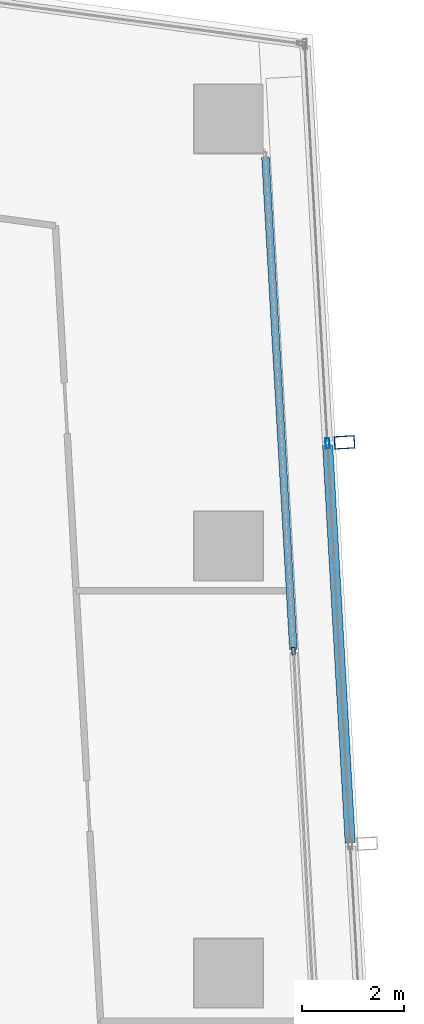
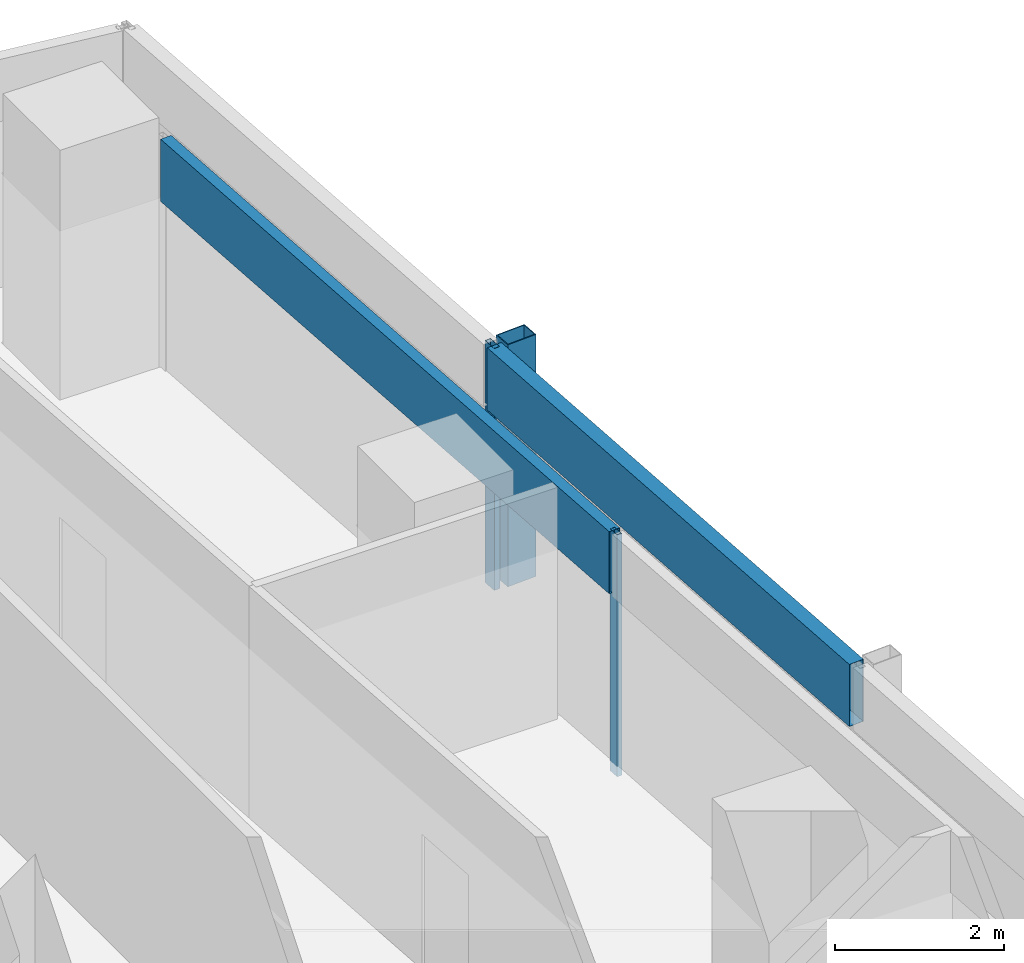
# One storey, part 23 of 38: 5 members, 2 elements without a shape of their own.
"""IFC4 building model written with IfcOpenShell, lengths in metres."""

from ifc_helpers import new_model, si_unit, direction, frame, origin, origin_2d, place, context, subcontext, project, spatial, hollow_rectangle, extrude, material, material_profile, profile_set, type_object, element, aggregate, save


model = new_model("IFC4")

# Units and contexts
model_context = context("Model", 3, precision=1e-05, world=origin(), true_north=direction((0.0, 1.0)))
body_context = subcontext(model_context, "Body", "Model", "MODEL_VIEW")
ifc_project = project(units=[si_unit("LENGTHUNIT", "METRE"), si_unit("AREAUNIT", "SQUARE_METRE"), si_unit("VOLUMEUNIT", "CUBIC_METRE"), si_unit("PLANEANGLEUNIT", "RADIAN"), si_unit("MASSUNIT", "GRAM", prefix="KILO")], contexts=[model_context])

# Site, building, storey
site_placement = place(None, origin())
site = spatial("IfcSite", under=ifc_project, at=site_placement, CompositionType="ELEMENT")
building_placement = place(site_placement, origin())
building = spatial("IfcBuilding", under=site, at=building_placement, Name="Rekha Terrace Tower", CompositionType="ELEMENT")
storey_placement = place(building_placement, frame((0.0, 0.0, 198.949951171875)))
storey = spatial("IfcBuildingStorey", under=building, at=storey_placement, Name="L50", CompositionType="ELEMENT", Elevation=198.949951171875)

# Curtain wall, member
ifc_material_1 = material(Name="Aluminium framing", Category="aluminium")
curtain_wall_type_1 = type_object("IfcCurtainWallType", Name="CW2 double skin outer glazing", PredefinedType="USERDEFINED", material=ifc_material_1)
curtain_wall_1_placement = place(storey_placement, origin())
curtain_wall_1 = element("IfcCurtainWall", 1, at=curtain_wall_1_placement, inside=storey, type_object=curtain_wall_type_1, Name="CW2 double skin outer glazing", ObjectType="DOUBLE SKIN OUTER GLAZING", PredefinedType="USERDEFINED")
ifc_material_2 = material(Name="Steel S355 with fluorocarbon finish", Category="steel")
ifc_material_profile_1 = material_profile(ifc_material_2, hollow_rectangle(XDim=0.25, YDim=0.39990234375, WallThickness=0.012451171875, at=origin_2d()), Name="RHS400x250x12.5")
ifc_profile_set_1 = profile_set([ifc_material_profile_1], Name="Steel S355 with fluorocarbon finish")
member_type_1 = type_object("IfcMemberType", Name="BL1 facade blade RHS 400 x 250", PredefinedType="USERDEFINED", material=ifc_profile_set_1)
member_1_placement = place(storey_placement, frame((61.080078125, 52.4375, 0.0), z_axis=(0.0, 0.0, 1.0), x_axis=(-0.056673619809, 0.998392758797, 0.0)))
member_1 = element("IfcMember", 2, at=member_1_placement, type_object=member_type_1, Name="Facade blade", ObjectType="FACADE BLADE", PredefinedType="USERDEFINED", context=body_context, shape_type="SweptSolid", body=[
    extrude(hollow_rectangle(XDim=0.25, YDim=0.39990234375, WallThickness=0.012451171875, at=origin_2d()), origin(), (0.0, 0.0, 1.0), 3.5),
])

# Curtain wall, members
curtain_wall_type_2 = type_object("IfcCurtainWallType", Name="CW1 double skin inner glazing", PredefinedType="USERDEFINED", material=ifc_material_1)
curtain_wall_2_placement = place(storey_placement, origin())
curtain_wall_2 = element("IfcCurtainWall", 3, at=curtain_wall_2_placement, inside=storey, type_object=curtain_wall_type_2, Name="CW1 double skin inner glazing", ObjectType="DOUBLE SKIN INNER GLAZING", PredefinedType="USERDEFINED")
ifc_material_3 = material(Name="Aluminium mullion section", Category="aluminium")
ifc_material_profile_2 = material_profile(ifc_material_3, hollow_rectangle(XDim=0.06494140625, YDim=0.14990234375, WallThickness=0.00390625, at=origin_2d()), Name="AL RHS 65x150")
ifc_profile_set_2 = profile_set([ifc_material_profile_2], Name="Aluminium mullion section")
member_type_2 = type_object("IfcMemberType", Name="CW1 mullion RHS 65 x 150", PredefinedType="MULLION", material=ifc_profile_set_2)
member_2_placement = place(storey_placement, frame((60.076171875, 48.331787109375, 0.0), z_axis=(0.0, 0.0, 1.0), x_axis=(-0.998392782919, -0.05667319486, 0.0)))
member_2 = element("IfcMember", 4, at=member_2_placement, type_object=member_type_2, Name="CW1 mullion 3", PredefinedType="MULLION", context=body_context, shape_type="SweptSolid", body=[
    extrude(hollow_rectangle(XDim=0.06494140625, YDim=0.14990234375, WallThickness=0.00390625, at=origin_2d()), origin(), (0.0, 0.0, 1.0), 3.5),
])
ifc_material_4 = material(Name="Insulated aluminium spandrel box", Category="aluminium")
ifc_material_profile_3 = material_profile(ifc_material_4, hollow_rectangle(XDim=0.14990234375, YDim=0.89990234375, WallThickness=0.0029296875, at=origin_2d()), Name="AL SPANDREL BOX 150x900")
ifc_profile_set_3 = profile_set([ifc_material_profile_3], Name="Insulated aluminium spandrel box")
member_type_3 = type_object("IfcMemberType", Name="CW1 spandrel transom 150 x 900", PredefinedType="USERDEFINED", material=ifc_profile_set_3)
member_3_placement = place(storey_placement, frame((60.07421875, 48.3642578125, 3.050048828125), z_axis=(-0.056665357377, 0.998393227778, 0.0), x_axis=(-0.998393227778, -0.056665357377, 0.0)))
member_3 = element("IfcMember", 5, at=member_3_placement, type_object=member_type_3, Name="CW1 spandrel transom 3", ObjectType="TRANSOM", PredefinedType="USERDEFINED", context=body_context, shape_type="SweptSolid", body=[
    extrude(hollow_rectangle(XDim=0.14990234375, YDim=0.89990234375, WallThickness=0.0029296875, at=origin_2d()), origin(), (0.0, 0.0, 1.0), 9.694091796875),
])
aggregate(curtain_wall_2, [member_2, member_3])

# Member
ifc_material_profile_4 = material_profile(ifc_material_3, hollow_rectangle(XDim=0.080078125, YDim=0.199951171875, WallThickness=0.00390625, at=origin_2d()), Name="AL RHS 80x200")
ifc_profile_set_4 = profile_set([ifc_material_profile_4], Name="Aluminium mullion section")
member_type_4 = type_object("IfcMemberType", Name="CW2 mullion RHS 80 x 200", PredefinedType="MULLION", material=ifc_profile_set_4)
member_4_placement = place(storey_placement, frame((60.74560546875, 52.41845703125, 0.0), z_axis=(0.0, 0.0, 1.0), x_axis=(-0.998392782919, -0.05667319486, 0.0)))
member_4 = element("IfcMember", 6, at=member_4_placement, type_object=member_type_4, Name="CW2 mullion 4", PredefinedType="MULLION", context=body_context, shape_type="SweptSolid", body=[
    extrude(hollow_rectangle(XDim=0.080078125, YDim=0.199951171875, WallThickness=0.00390625, at=origin_2d()), origin(), (0.0, 0.0, 1.0), 3.5),
])

ifc_material_profile_5 = material_profile(ifc_material_4, hollow_rectangle(XDim=0.199951171875, YDim=0.89990234375, WallThickness=0.0029296875, at=origin_2d()), Name="AL SPANDREL BOX 200x900")
ifc_profile_set_5 = profile_set([ifc_material_profile_5], Name="Insulated aluminium spandrel box")
member_type_5 = type_object("IfcMemberType", Name="CW2 spandrel transom 200 x 900", PredefinedType="USERDEFINED", material=ifc_profile_set_5)
member_5_placement = place(storey_placement, frame((61.19140625, 44.567626953125, 3.050048828125), z_axis=(-0.056702299999, 0.998391130357, 0.0), x_axis=(-0.998391130357, -0.056702299999, 0.0)))
member_5 = element("IfcMember", 7, at=member_5_placement, type_object=member_type_5, Name="CW2 spandrel transom 3", ObjectType="TRANSOM", PredefinedType="USERDEFINED", context=body_context, shape_type="SweptSolid", body=[
    extrude(hollow_rectangle(XDim=0.199951171875, YDim=0.89990234375, WallThickness=0.0029296875, at=origin_2d()), origin(), (0.0, 0.0, 1.0), 7.823486328125),
])

aggregate(curtain_wall_1, [member_4, member_5, member_1])

save(model, "model.ifc")
